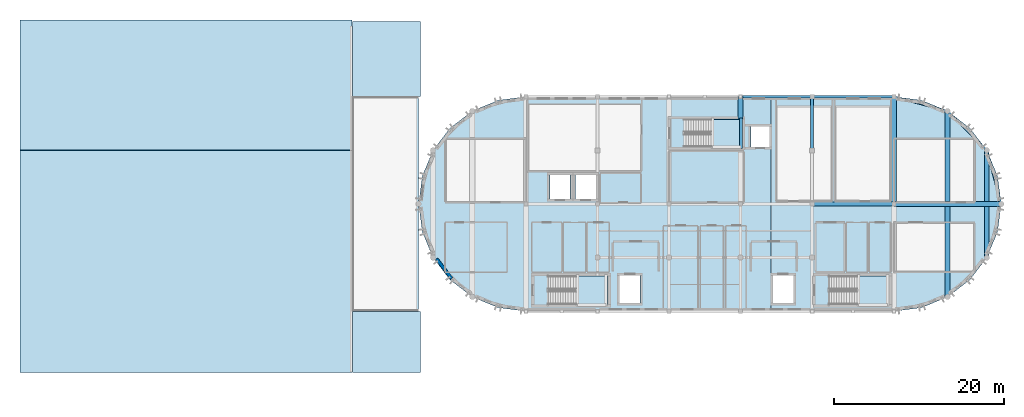
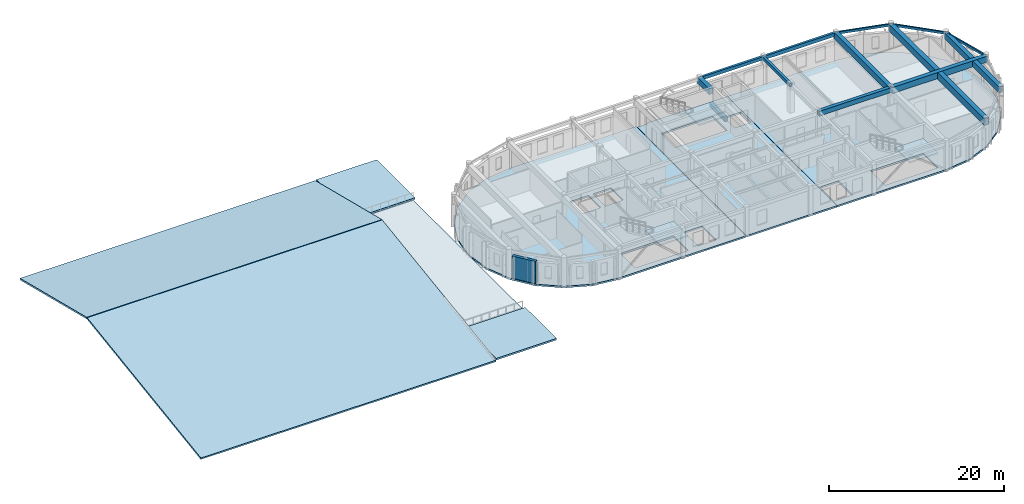
# One storey, part 2 of 12: 13 beams, 11 slabs, 1 wall, 3 elements without a shape of their own.
"""IFC4 building model written with IfcOpenShell, lengths in metres."""

from ifc_helpers import new_model, si_unit, direction, frame, frame_2d, origin, origin_2d, place, context, subcontext, project, spatial, polyline, rectangle, hollow_rectangle, outline, extrude, material, layer, layer_set, material_profile, profile_set, type_object, element, aggregate, save


model = new_model("IFC4")

# Units and contexts
model_context = context("Model", 3, precision=1e-05, world=origin(), true_north=direction((0.0, 1.0)))
body_context = subcontext(model_context, "Body", "Model", "MODEL_VIEW")
ifc_project = project(units=[si_unit("LENGTHUNIT", "METRE"), si_unit("AREAUNIT", "SQUARE_METRE"), si_unit("VOLUMEUNIT", "CUBIC_METRE"), si_unit("PLANEANGLEUNIT", "RADIAN"), si_unit("MASSUNIT", "GRAM", prefix="KILO")], contexts=[model_context])

# Site, building, storey
site_placement = place(None, origin())
site = spatial("IfcSite", under=ifc_project, at=site_placement, CompositionType="ELEMENT")
building_placement = place(site_placement, origin())
building = spatial("IfcBuilding", under=site, at=building_placement, Name="Tarnavel Promenade Courthouse", CompositionType="ELEMENT")
storey_placement = place(building_placement, frame((0.0, 0.0, 27.0)))
storey = spatial("IfcBuildingStorey", under=building, at=storey_placement, Name="L07", CompositionType="ELEMENT", Elevation=27.0)

# Beams
ifc_material_1 = material(Name="Concrete C40/50", Category="concrete")
ifc_material_profile_1 = material_profile(ifc_material_1, rectangle(XDim=0.550048828125, YDim=0.85009765625, at=origin_2d()), Name="PT 550x850")
ifc_profile_set_1 = profile_set([ifc_material_profile_1], Name="Concrete C40/50")
beam_type_1 = type_object("IfcBeamType", Name="Concrete C40/50 BM-PT-550x850 (PT 550x850)", PredefinedType="T_BEAM", material=ifc_profile_set_1)
beam_1_placement = place(storey_placement, frame((102.0, 91.800048828125, 3.550048828125), z_axis=(1.0, 0.0, 0.0), x_axis=(0.0, 1.0, 0.0)))
element("IfcBeam", 1, at=beam_1_placement, inside=storey, type_object=beam_type_1, Name="L07 Primary Longitudinal Beam 2534", PredefinedType="T_BEAM", context=body_context, shape_type="SweptSolid", body=[
    extrude(rectangle(XDim=0.550048828125, YDim=0.85009765625, at=origin_2d()), origin(), (0.0, 0.0, 1.0), 12.60009765625),
])
beam_2_placement = place(storey_placement, frame((84.0, 101.7900390625, 3.550048828125), z_axis=(0.0, 1.0, 0.0), x_axis=(-1.0, 0.0, 0.0)))
element("IfcBeam", 2, at=beam_2_placement, inside=storey, type_object=beam_type_1, Name="L07 Transverse Girder 2554", PredefinedType="T_BEAM", context=body_context, shape_type="SweptSolid", body=[
    extrude(rectangle(XDim=0.550048828125, YDim=0.85009765625, at=origin_2d()), origin(), (0.0, 0.0, 1.0), 2.60986328125),
])
beam_3_placement = place(storey_placement, frame((102.0, 91.800048828125, 3.550048828125), z_axis=(0.0, 1.0, 0.0), x_axis=(-1.0, 0.0, 0.0)))
element("IfcBeam", 3, at=beam_3_placement, inside=storey, type_object=beam_type_1, Name="L07 Transverse Girder 2560", PredefinedType="T_BEAM", context=body_context, shape_type="SweptSolid", body=[
    extrude(rectangle(XDim=0.550048828125, YDim=0.85009765625, at=origin_2d()), origin(), (0.0, 0.0, 1.0), 12.599853515625),
])
beam_4_placement = place(storey_placement, frame((112.911865234375, 85.5, 3.550048828125), z_axis=(0.0, 1.0, 0.0), x_axis=(-1.0, 0.0, 0.0)))
element("IfcBeam", 4, at=beam_4_placement, inside=storey, type_object=beam_type_1, Name="L07 Transverse Girder 2562", PredefinedType="T_BEAM", context=body_context, shape_type="SweptSolid", body=[
    extrude(rectangle(XDim=0.550048828125, YDim=0.85009765625, at=origin_2d()), origin(), (0.0, 0.0, 1.0), 12.60009765625),
])
ifc_material_profile_2 = material_profile(ifc_material_1, rectangle(XDim=0.60009765625, YDim=0.949951171875, at=origin_2d()), Name="PT 600x950")
ifc_profile_set_2 = profile_set([ifc_material_profile_2], Name="Concrete C40/50")
beam_type_2 = type_object("IfcBeamType", Name="Concrete C40/50 BM-PT-600x950 (PT 600x950)", PredefinedType="T_BEAM", material=ifc_profile_set_2)
beam_5_placement = place(storey_placement, frame((108.300048828125, 80.88818359375, 3.5), z_axis=(0.0, 1.0, 0.0), x_axis=(-1.0, 0.0, 0.0)))
element("IfcBeam", 5, at=beam_5_placement, inside=storey, type_object=beam_type_2, Name="L07 Transverse Girder 2561", PredefinedType="T_BEAM", context=body_context, shape_type="SweptSolid", body=[
    extrude(rectangle(XDim=0.60009765625, YDim=0.949951171875, at=origin_2d()), origin(), (0.0, 0.0, 1.0), 21.82373046875),
])
ifc_material_profile_3 = material_profile(ifc_material_1, rectangle(XDim=0.35009765625, YDim=0.449951171875, at=origin_2d()), Name="RC 350x450")
ifc_profile_set_3 = profile_set([ifc_material_profile_3], Name="Concrete C40/50")
beam_type_3 = type_object("IfcBeamType", Name="Concrete C40/50 BM-RC-350x450 (RC 350x450)", PredefinedType="BEAM", material=ifc_profile_set_3)
beam_6_placement = place(storey_placement, frame((92.39990234375, 98.10009765625, 3.75), z_axis=(0.0, 1.0, 0.0), x_axis=(-1.0, 0.0, 0.0)))
element("IfcBeam", 6, at=beam_6_placement, inside=storey, type_object=beam_type_3, Name="L07 Transverse Girder 2558", PredefinedType="BEAM", context=body_context, shape_type="SweptSolid", body=[
    extrude(rectangle(XDim=0.35009765625, YDim=0.449951171875, at=origin_2d()), origin(), (0.0, 0.0, 1.0), 6.2998046875),
])
beam_7_placement = place(storey_placement, frame((84.02001953125, 98.320068359375, 1.669921875), z_axis=(0.0, 1.0, 0.0), x_axis=(-1.0, 0.0, 0.0)))
element("IfcBeam", 7, at=beam_7_placement, inside=storey, type_object=beam_type_3, Name="L07 ST-03 Mid-Landing Support Beam Far", PredefinedType="BEAM", context=body_context, shape_type="SweptSolid", body=[
    extrude(rectangle(XDim=0.35009765625, YDim=0.449951171875, at=origin_2d()), origin(), (0.0, 0.0, 1.0), 3.599853515625),
])
ifc_material_profile_4 = material_profile(ifc_material_1, rectangle(XDim=0.449951171875, YDim=0.64990234375, at=origin_2d()), Name="RC 450x650")
ifc_profile_set_4 = profile_set([ifc_material_profile_4], Name="Concrete C40/50")
beam_type_4 = type_object("IfcBeamType", Name="Concrete C40/50 BM-RC-450x650 (RC 450x650)", PredefinedType="T_BEAM", material=ifc_profile_set_4)
beam_8_placement = place(storey_placement, frame((92.39990234375, 91.800048828125, 3.64990234375), z_axis=(1.0, 0.0, 0.0), x_axis=(0.0, 1.0, 0.0)))
element("IfcBeam", 8, at=beam_8_placement, inside=storey, type_object=beam_type_4, Name="L07 Primary Longitudinal Beam 2533", PredefinedType="T_BEAM", context=body_context, shape_type="SweptSolid", body=[
    extrude(rectangle(XDim=0.449951171875, YDim=0.64990234375, at=origin_2d()), origin(), (0.0, 0.0, 1.0), 9.60009765625),
])
ifc_material_profile_5 = material_profile(ifc_material_1, rectangle(XDim=0.300048828125, YDim=0.449951171875, at=origin_2d()), Name="RC 300x450")
ifc_profile_set_5 = profile_set([ifc_material_profile_5], Name="Concrete C40/50")
beam_type_5 = type_object("IfcBeamType", Name="Concrete C40/50 BM-SP-300x450 (RC 300x450)", PredefinedType="SPANDREL", material=ifc_profile_set_5)
beam_9_placement = place(storey_placement, frame((84.0, 104.39990234375, 3.75), z_axis=(1.0, 0.0, 0.0), x_axis=(0.0, 1.0, 0.0)))
element("IfcBeam", 9, at=beam_9_placement, inside=storey, type_object=beam_type_5, Name="L07 Primary Longitudinal Beam 2538", PredefinedType="SPANDREL", context=body_context, shape_type="SweptSolid", body=[
    extrude(rectangle(XDim=0.300048828125, YDim=0.449951171875, at=origin_2d()), origin(), (0.0, 0.0, 1.0), 8.39990234375),
])
ifc_material_profile_6 = material_profile(ifc_material_1, rectangle(XDim=0.300048828125, YDim=0.5, at=origin_2d()), Name="RC 300x500")
ifc_profile_set_6 = profile_set([ifc_material_profile_6], Name="Concrete C40/50")
beam_type_6 = type_object("IfcBeamType", Name="Concrete C40/50 BM-SP-300x500 (RC 300x500)", PredefinedType="SPANDREL", material=ifc_profile_set_6)
beam_10_placement = place(storey_placement, frame((92.39990234375, 104.39990234375, 3.72509765625), z_axis=(1.0, 0.0, 0.0), x_axis=(0.0, 1.0, 0.0)))
element("IfcBeam", 10, at=beam_10_placement, inside=storey, type_object=beam_type_6, Name="L07 Primary Longitudinal Beam 2539", PredefinedType="SPANDREL", context=body_context, shape_type="SweptSolid", body=[
    extrude(rectangle(XDim=0.300048828125, YDim=0.5, at=origin_2d()), origin(), (0.0, 0.0, 1.0), 9.60009765625),
])
ifc_material_2 = material(Name="Steel S355J2", Category="steel")
ifc_material_profile_7 = material_profile(ifc_material_2, hollow_rectangle(XDim=0.199951171875, YDim=0.35009765625, WallThickness=0.012451171875, InnerFilletRadius=0.012451171875, OuterFilletRadius=0.02490234375, at=origin_2d()), Name="RHS 350x200x12.5")
ifc_profile_set_7 = profile_set([ifc_material_profile_7], Name="Steel S355J2")
beam_type_7 = type_object("IfcBeamType", Name="Steel S355J2 BM-ST-RHS350 (RHS 350x200x12.5)", PredefinedType="SPANDREL", material=ifc_profile_set_7)
beam_11_placement = place(storey_placement, frame((114.60009765625, 91.800048828125, 3.800048828125), z_axis=(-0.258838989821, 0.965920481897, 0.0), x_axis=(-0.965920481897, -0.258838989821, 0.0)))
element("IfcBeam", 11, at=beam_11_placement, inside=storey, type_object=beam_type_7, Name="L07 Drum Ring Spandrel 2576", PredefinedType="SPANDREL", context=body_context, shape_type="SweptSolid", body=[
    extrude(hollow_rectangle(XDim=0.199951171875, YDim=0.35009765625, WallThickness=0.012451171875, InnerFilletRadius=0.012451171875, OuterFilletRadius=0.02490234375, at=origin_2d()), origin(), (0.0, 0.0, 1.0), 6.522216796875),
])
beam_12_placement = place(storey_placement, frame((112.911865234375, 98.10009765625, 3.800048828125), z_axis=(-0.707106781187, 0.707106781187, 0.0), x_axis=(-0.707106781187, -0.707106781187, 0.0)))
element("IfcBeam", 12, at=beam_12_placement, inside=storey, type_object=beam_type_7, Name="L07 Drum Ring Spandrel 2577", PredefinedType="SPANDREL", context=body_context, shape_type="SweptSolid", body=[
    extrude(hollow_rectangle(XDim=0.199951171875, YDim=0.35009765625, WallThickness=0.012451171875, InnerFilletRadius=0.012451171875, OuterFilletRadius=0.02490234375, at=origin_2d()), origin(), (0.0, 0.0, 1.0), 6.52197265625),
])
beam_13_placement = place(storey_placement, frame((108.300048828125, 102.7119140625, 3.800048828125), z_axis=(-0.965929839907, 0.258804065612, 0.0), x_axis=(-0.258804065612, -0.965929839907, 0.0)))
element("IfcBeam", 13, at=beam_13_placement, inside=storey, type_object=beam_type_7, Name="L07 Drum Ring Spandrel 2578", PredefinedType="SPANDREL", context=body_context, shape_type="SweptSolid", body=[
    extrude(hollow_rectangle(XDim=0.199951171875, YDim=0.35009765625, WallThickness=0.012451171875, InnerFilletRadius=0.012451171875, OuterFilletRadius=0.02490234375, at=origin_2d()), origin(), (0.0, 0.0, 1.0), 6.522216796875),
])

# Slabs
ifc_material_3 = material(Name="Concrete C35/45", Category="concrete")
ifc_layer_1 = layer(ifc_material_3, 0.22998046875)
ifc_layer_set_1 = layer_set([ifc_layer_1], Name="Concrete C35/45")
slab_type_1 = type_object("IfcSlabType", Name="Concrete C35/45 SLB-FLR-230 (230 mm)", PredefinedType="FLOOR", material=ifc_layer_set_1)
slab_1_placement = place(storey_placement, frame((0.0, 0.0, -0.22998046875)))
element("IfcSlab", 14, at=slab_1_placement, inside=storey, type_object=slab_type_1, Name="L07 Stacked Courts West Drum Floor Slab", PredefinedType="FLOOR", context=body_context, shape_type="SweptSolid", body=[
    extrude(outline(polyline([(75.580078125, 79.219970703125), (75.580078125, 104.3798828125), (58.800048828125, 104.39990234375), (55.538818359375, 103.970703125), (52.5, 102.7119140625), (49.890380859375, 100.70947265625), (47.88818359375, 98.10009765625), (46.62939453125, 95.06103515625), (46.199951171875, 91.800048828125), (46.62939453125, 88.538818359375), (47.88818359375, 85.5), (49.890380859375, 82.890380859375), (52.5, 80.88818359375), (55.538818359375, 79.62939453125), (58.800048828125, 79.199951171875), (75.580078125, 79.219970703125)]), holes=[polyline([(61.405029296875, 80.0), (68.39990234375, 80.0), (68.39990234375, 83.320068359375), (61.405029296875, 83.320068359375), (61.405029296875, 80.0)]), polyline([(69.800048828125, 80.199951171875), (72.199951171875, 80.199951171875), (72.199951171875, 83.39990234375), (69.800048828125, 83.39990234375), (69.800048828125, 80.199951171875)]), polyline([(61.60009765625, 92.39990234375), (64.0, 92.39990234375), (64.0, 95.199951171875), (61.60009765625, 95.199951171875), (61.60009765625, 92.39990234375)]), polyline([(64.60009765625, 92.39990234375), (67.0, 92.39990234375), (67.0, 95.199951171875), (64.60009765625, 95.199951171875), (64.60009765625, 92.39990234375)])]), origin(), (0.0, 0.0, 1.0), 0.22998046875),
])
slab_2_placement = place(storey_placement, frame((0.0, 0.0, -0.22998046875)))
element("IfcSlab", 15, at=slab_2_placement, inside=storey, type_object=slab_type_1, Name="L07 Stacked Courts Central Floor Slab", PredefinedType="FLOOR", context=body_context, shape_type="SweptSolid", body=[
    extrude(outline(polyline([(75.6201171875, 79.219970703125), (87.580078125, 79.219970703125), (87.580078125, 104.3798828125), (77.02001953125, 104.3798828125), (77.02001953125, 104.219970703125), (75.6201171875, 104.219970703125), (75.6201171875, 79.219970703125)]), holes=[polyline([(77.364990234375, 98.5), (84.199951171875, 98.5), (84.199951171875, 101.739990234375), (77.364990234375, 101.739990234375), (77.364990234375, 98.5)]), polyline([(85.199951171875, 98.5), (87.39990234375, 98.5), (87.39990234375, 100.89990234375), (85.199951171875, 100.89990234375), (85.199951171875, 98.5)])]), origin(), (0.0, 0.0, 1.0), 0.22998046875),
])
slab_3_placement = place(storey_placement, frame((0.0, 0.0, -0.22998046875)))
element("IfcSlab", 16, at=slab_3_placement, inside=storey, type_object=slab_type_1, Name="L07 Stacked Courts East Drum Floor Slab", PredefinedType="FLOOR", context=body_context, shape_type="SweptSolid", body=[
    extrude(outline(polyline([(87.6201171875, 104.3798828125), (87.6201171875, 79.219970703125), (102.0, 79.199951171875), (105.26123046875, 79.62939453125), (108.300048828125, 80.88818359375), (110.909423828125, 82.890380859375), (112.911865234375, 85.5), (114.170654296875, 88.538818359375), (114.60009765625, 91.800048828125), (114.170654296875, 95.06103515625), (112.911865234375, 98.10009765625), (110.909423828125, 100.70947265625), (108.300048828125, 102.7119140625), (105.26123046875, 103.970703125), (102.0, 104.39990234375), (87.6201171875, 104.3798828125)]), holes=[polyline([(94.405029296875, 80.0), (101.39990234375, 80.0), (101.39990234375, 83.320068359375), (94.405029296875, 83.320068359375), (94.405029296875, 80.0)]), polyline([(87.800048828125, 80.199951171875), (90.199951171875, 80.199951171875), (90.199951171875, 83.39990234375), (87.800048828125, 83.39990234375), (87.800048828125, 80.199951171875)])]), origin(), (0.0, 0.0, 1.0), 0.22998046875),
])
ifc_layer_2 = layer(ifc_material_3, 0.235107421875)
ifc_layer_set_2 = layer_set([ifc_layer_2], Name="Concrete C35/45")
slab_type_2 = type_object("IfcSlabType", Name="Concrete C35/45 SLB-RF-235 (235 mm)", PredefinedType="ROOF", material=ifc_layer_set_2)
slab_4_placement = place(storey_placement, origin())
element("IfcSlab", 17, at=slab_4_placement, inside=storey, type_object=slab_type_2, Name="L07 Trial Wing East Shoulder South Roof", PredefinedType="ROOF", context=body_context, shape_type="SweptSolid", body=[
    extrude(outline(polyline([(38.419921875, 72.02001953125), (46.39990234375, 72.02001953125), (46.39990234375, 79.179931640625), (38.419921875, 79.179931640625), (38.419921875, 72.02001953125)])), origin(), (0.0, 0.0, 1.0), 0.235107421875),
])
slab_5_placement = place(storey_placement, origin())
element("IfcSlab", 18, at=slab_5_placement, inside=storey, type_object=slab_type_2, Name="L07 Trial Wing East Shoulder North Roof", PredefinedType="ROOF", context=body_context, shape_type="SweptSolid", body=[
    extrude(outline(polyline([(38.419921875, 104.419921875), (46.39990234375, 104.419921875), (46.39990234375, 113.199951171875), (38.419921875, 113.199951171875), (38.419921875, 104.419921875)])), origin(), (0.0, 0.0, 1.0), 0.235107421875),
])
slab_6_placement = place(storey_placement, frame((-0.60009765625, 72.0, 0.0), z_axis=(0.0, -0.144292898896, 0.989535021779), x_axis=(1.0, 0.0, 0.0)))
element("IfcSlab", 19, at=slab_6_placement, inside=storey, type_object=slab_type_2, Name="L07 Trial Wing South Snow-Retaining Pitched Roof", PredefinedType="ROOF", context=body_context, shape_type="SweptSolid", body=[
    extrude(outline(polyline([(0.0, 0.0), (39.0, 0.0), (39.0, 26.33566070949839), (0.0, 26.33566070949839), (0.0, 0.0)])), origin(), (0.0, 0.0, -1.0), 0.235107421875),
])
slab_7_placement = place(storey_placement, frame((-0.60009765625, 98.139892578125, 3.800048828125), z_axis=(0.0, 0.241640573662, 0.970365824398), x_axis=(1.0, 0.0, 0.0)))
element("IfcSlab", 20, at=slab_7_placement, inside=storey, type_object=slab_type_2, Name="L07 Trial Wing North Snow-Retaining Pitched Roof", PredefinedType="ROOF", context=body_context, shape_type="SweptSolid", body=[
    extrude(outline(polyline([(0.0, 0.0), (39.0, 0.0), (39.0, 15.726037935319388), (0.0, 15.726037935319388), (0.0, 0.0)])), origin(), (0.0, 0.0, -1.0), 0.235107421875),
])
ifc_layer_3 = layer(ifc_material_3, 0.2548828125)
ifc_layer_set_3 = layer_set([ifc_layer_3], Name="Concrete C35/45")
slab_type_3 = type_object("IfcSlabType", Name="Concrete C35/45 SLB-TER-255 (255 mm)", PredefinedType="FLOOR", material=ifc_layer_set_3)
slab_8_placement = place(storey_placement, frame((0.0, 0.0, -0.2548828125)))
element("IfcSlab", 21, at=slab_8_placement, inside=storey, type_object=slab_type_3, Name="L07 Upper Judicial Planted Roof Garden Terrace", PredefinedType="FLOOR", context=body_context, shape_type="SweptSolid", body=[
    extrude(outline(polyline([(38.39990234375, 79.219970703125), (46.179931640625, 79.219970703125), (46.179931640625, 104.3798828125), (38.39990234375, 104.3798828125), (38.39990234375, 79.219970703125)])), origin(), (0.0, 0.0, 1.0), 0.2548828125),
])

# Stair, slab
stair_type_1 = type_object("IfcStairType", Name="Concrete C35/45 Half-Turn Stair STR-03 (1560W-300G-24R)", PredefinedType="HALF_TURN_STAIR", material=ifc_material_3)
stair_1_placement = place(storey_placement, origin())
stair_1 = element("IfcStair", 22, at=stair_1_placement, inside=storey, type_object=stair_type_1, Name="L07 West Bar Firefighting Exit Stair", PredefinedType="HALF_TURN_STAIR")
ifc_layer_4 = layer(ifc_material_3, 0.205078125)
ifc_layer_set_4 = layer_set([ifc_layer_4], Name="Concrete C35/45")
slab_type_4 = type_object("IfcSlabType", Name="Concrete C35/45 Stair Landing SLB-LND-205 (205 mm)", PredefinedType="LANDING", material=ifc_layer_set_4)
slab_9_placement = place(storey_placement, frame((0.0, 0.0, 1.89990234375)))
slab_9 = element("IfcSlab", 23, at=slab_9_placement, type_object=slab_type_4, Name="ST-01 landing 1", PredefinedType="LANDING", context=body_context, shape_type="SweptSolid", body=[
    extrude(outline(polyline([(64.659912109375, 80.0), (68.39990234375, 80.0), (68.39990234375, 83.320068359375), (64.659912109375, 83.320068359375), (64.659912109375, 80.0)])), origin(), (0.0, 0.0, 1.0), 0.2001953125),
])
aggregate(stair_1, [slab_9])

stair_2_placement = place(storey_placement, origin())
stair_2 = element("IfcStair", 24, at=stair_2_placement, inside=storey, type_object=stair_type_1, Name="L07 East Bar Firefighting Exit Stair", PredefinedType="HALF_TURN_STAIR")
slab_10_placement = place(storey_placement, frame((0.0, 0.0, 1.89990234375)))
slab_10 = element("IfcSlab", 25, at=slab_10_placement, type_object=slab_type_4, Name="ST-02 landing 1", PredefinedType="LANDING", context=body_context, shape_type="SweptSolid", body=[
    extrude(outline(polyline([(97.659912109375, 80.0), (101.39990234375, 80.0), (101.39990234375, 83.320068359375), (97.659912109375, 83.320068359375), (97.659912109375, 80.0)])), origin(), (0.0, 0.0, 1.0), 0.2001953125),
])
aggregate(stair_2, [slab_10])

stair_type_2 = type_object("IfcStairType", Name="Concrete C35/45 Half-Turn Stair STR-06 (1520W-290G-24R)", PredefinedType="HALF_TURN_STAIR", material=ifc_material_3)
stair_3_placement = place(storey_placement, origin())
stair_3 = element("IfcStair", 26, at=stair_3_placement, inside=storey, type_object=stair_type_2, Name="L07 Central Judicial Chambers Exit Stair", PredefinedType="HALF_TURN_STAIR")
slab_11_placement = place(storey_placement, frame((0.0, 0.0, 1.89990234375)))
slab_11 = element("IfcSlab", 27, at=slab_11_placement, type_object=slab_type_4, Name="ST-03 landing 1", PredefinedType="LANDING", context=body_context, shape_type="SweptSolid", body=[
    extrude(outline(polyline([(80.510009765625, 98.5), (84.199951171875, 98.5), (84.199951171875, 101.739990234375), (80.510009765625, 101.739990234375), (80.510009765625, 98.5)])), origin(), (0.0, 0.0, 1.0), 0.2001953125),
])
aggregate(stair_3, [slab_11])

# Wall
ifc_material_4 = material(Name="Patinated Copper-Bronze Insulated Drum Wall Assembly", Category="masonry")
ifc_layer_5 = layer(ifc_material_4, 0.364990234375)
ifc_layer_set_5 = layer_set([ifc_layer_5], Name="Patinated Copper-Bronze Insulated Drum Wall Assembly")
wall_type = type_object("IfcWallType", Name="Patinated Copper-Bronze Insulated Drum Wall Assembly WL-DRUM-365 (365 mm)", PredefinedType="ELEMENTEDWALL", material=ifc_layer_set_5)
wall_placement = place(storey_placement, frame((48.30859375, 85.362548828125, 0.0), z_axis=(0.0, 0.0, 1.0), x_axis=(0.60876624393, -0.793349645649, 0.0)))
element("IfcWall", 28, at=wall_placement, inside=storey, type_object=wall_type, Name="L07 W Copper Drum Chord Wall 09 0188", PredefinedType="ELEMENTEDWALL", context=body_context, shape_type="SweptSolid", body=[
    extrude(rectangle(XDim=2.92431640625, YDim=0.364990234375, at=frame_2d((1.462158203125, 0.0))), origin(), (0.0, 0.0, 1.0), 3.110107421875),
])

save(model, "model.ifc")
